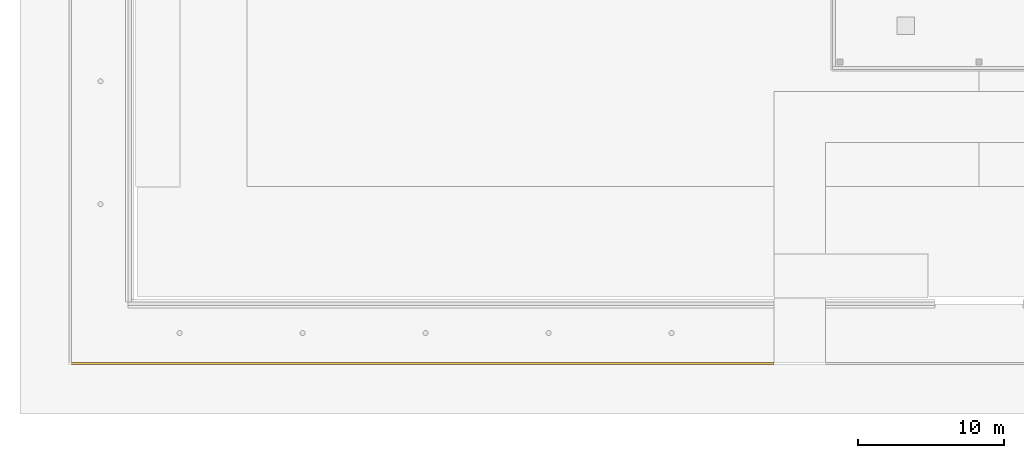
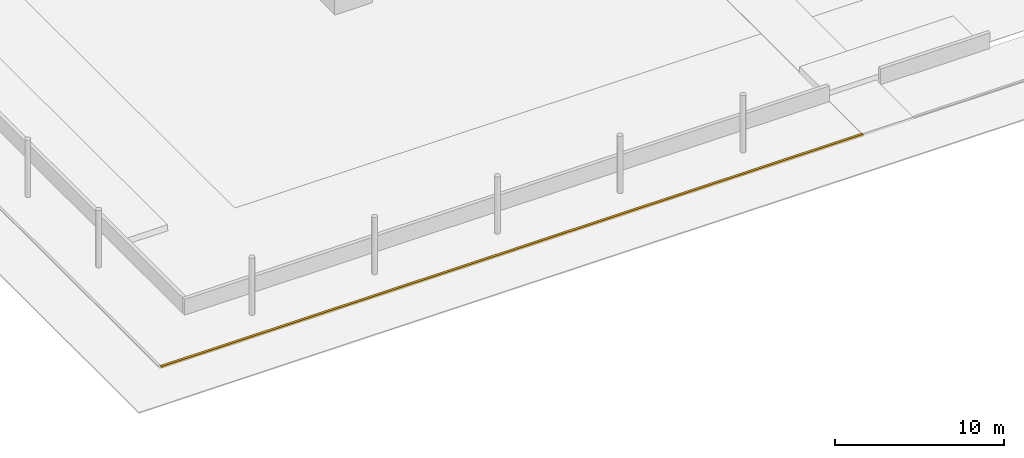
# One storey, part 24 of 52: 1 covering.
"""IFC4 building model written with IfcOpenShell, lengths in metres."""

from ifc_helpers import new_model, si_unit, direction, origin, place, context, subcontext, project, spatial, polyline, outline, extrude, material, layer, layer_set, type_object, element, save


model = new_model("IFC4")

# Units and contexts
model_context = context("Model", 3, precision=1e-05, world=origin(), true_north=direction((0.0, 1.0)))
body_context = subcontext(model_context, "Body", "Model", "MODEL_VIEW")
ifc_project = project(units=[si_unit("LENGTHUNIT", "METRE"), si_unit("AREAUNIT", "SQUARE_METRE"), si_unit("VOLUMEUNIT", "CUBIC_METRE"), si_unit("PLANEANGLEUNIT", "RADIAN"), si_unit("MASSUNIT", "GRAM", prefix="KILO")], contexts=[model_context])

# Site, building, storey
site_placement = place(None, origin())
site = spatial("IfcSite", under=ifc_project, at=site_placement, CompositionType="ELEMENT")
building_placement = place(site_placement, origin())
building = spatial("IfcBuilding", under=site, at=building_placement, Name="Cantera Rosa Tower", CompositionType="ELEMENT")
storey_placement = place(building_placement, origin())
storey = spatial("IfcBuildingStorey", under=building, at=storey_placement, Name="L00", CompositionType="ELEMENT", Elevation=0.0)

# Covering
ifc_material = material(Name="Granite kerb", Category="masonry")
ifc_layer = layer(ifc_material, 0.14990234375)
ifc_layer_set = layer_set([ifc_layer], Name="Kerb 150x150")
covering_type = type_object("IfcCoveringType", Name="Kerb 150x150", PredefinedType="USERDEFINED", material=ifc_layer_set)
covering_placement = place(storey_placement, origin())
element("IfcCovering", 1, at=covering_placement, inside=storey, type_object=covering_type, Name="Kerb S1", ObjectType="KERB", PredefinedType="USERDEFINED", context=body_context, shape_type="SweptSolid", body=[
    extrude(outline(polyline([(-14.0, -57.14990234375), (-14.0, -57.0), (-62.0, -57.0), (-62.0, -57.14990234375), (-14.0, -57.14990234375)])), origin(), (0.0, 0.0, 1.0), 0.14990234375),
])

save(model, "model.ifc")
